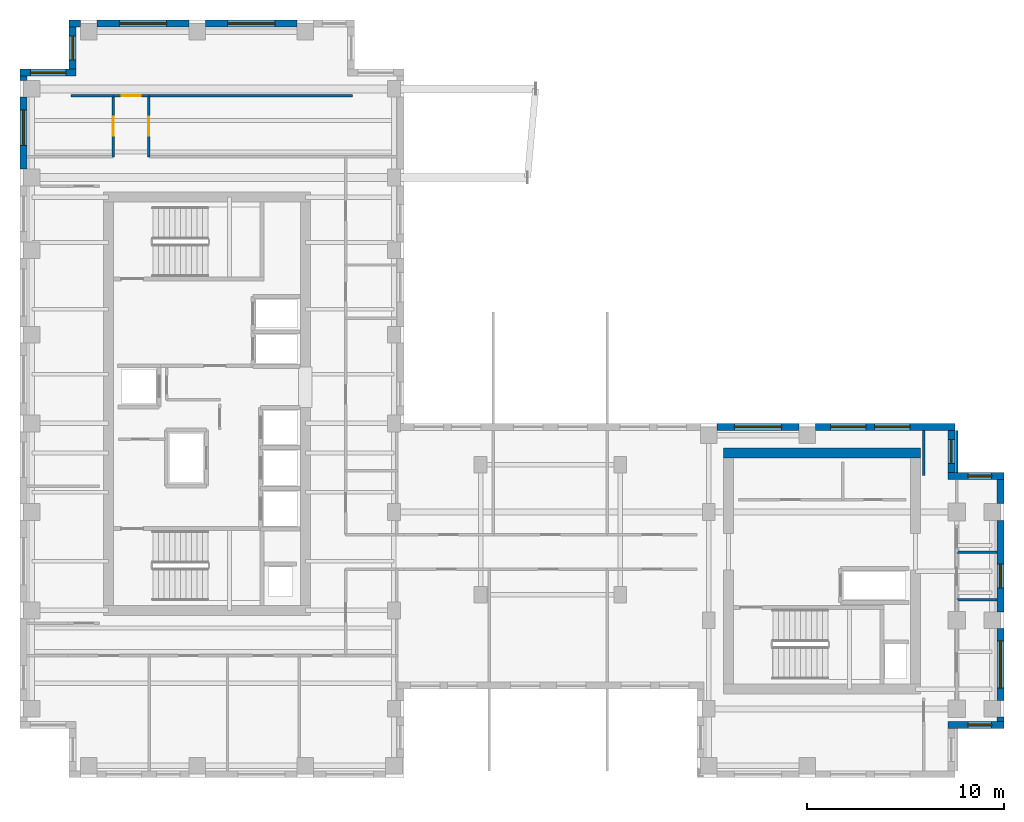
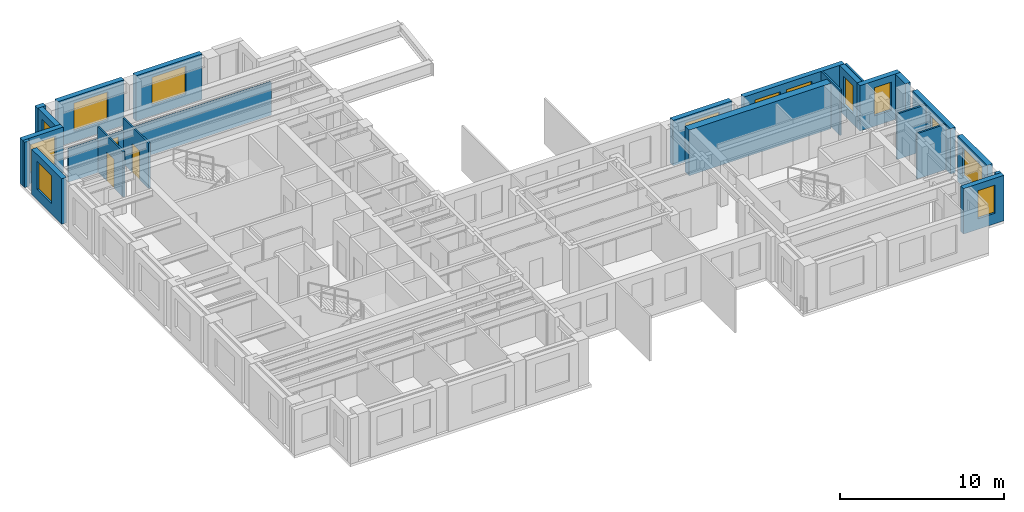
# One storey, part 8 of 11: 26 walls, 13 windows, 3 doors, 16 openings.
"""IFC4 building model written with IfcOpenShell, lengths in metres."""

import ifcopenshell
import ifcopenshell.guid

model = None  # the IFC model being written
_history = None  # IfcOwnerHistory: only IFC2X3 demands one
_inside = {}  # id of a spatial element -> (the spatial element, [elements in it])
_under = {}  # id of a project, library or spatial element -> (it, [spatial elements below it])
_declared = {}  # id of a project -> (the project, [libraries it declares])
_typed = {}  # id of a type object -> (the type object, [elements of that type])
_made_of = {}  # id of a material, layer set ... -> (it, [elements and type objects made of it])


def new_model(schema):
    """Start an empty IFC model of exactly this schema.

    Asked for "IFC4X3", IfcOpenShell would pick the latest addendum, in which some entities
    have other attributes; the version numbers below select the first issue.
    IFC2X3 requires an IfcOwnerHistory on every rooted entity: one is made here for all.
    """
    global model, _history
    if schema == "IFC4X3":
        model = ifcopenshell.file(schema_version=(4, 3, 0, 0))
    else:
        model = ifcopenshell.file(schema=schema)
    _inside.clear()
    _under.clear()
    _declared.clear()
    _typed.clear()
    _made_of.clear()
    _history = None
    if model.schema == "IFC2X3":
        org = make("IfcOrganization", Name="unknown")
        user = make(
            "IfcPersonAndOrganization",
            ThePerson=make("IfcPerson", FamilyName="unknown"),
            TheOrganization=org,
        )
        app = make(
            "IfcApplication",
            ApplicationDeveloper=org,
            Version="unknown",
            ApplicationFullName="unknown",
            ApplicationIdentifier="unknown",
        )
        _history = make(
            "IfcOwnerHistory",
            OwningUser=user,
            OwningApplication=app,
            ChangeAction="ADDED",
            CreationDate=0,
        )
    return model


def make(cls, **values):
    """One entity of the class cls with the attributes given. An attribute that is None is left unset."""
    return model.create_entity(
        cls, **{name: value for name, value in values.items() if value is not None}
    )


def rooted(cls, **values):
    """An entity with a GlobalId (a new one), such as an element, a storey or a relation."""
    return make(cls, GlobalId=ifcopenshell.guid.new(), OwnerHistory=_history, **values)


def si_unit(unit_type, name, prefix=None):
    """IfcSIUnit, for example si_unit("LENGTHUNIT", "METRE", prefix="MILLI")."""
    return make("IfcSIUnit", UnitType=unit_type, Prefix=prefix, Name=name)


def assignment(units):
    """IfcUnitAssignment: the units of a project."""
    return None if units is None else make("IfcUnitAssignment", Units=units)


def point(xyz):
    """IfcCartesianPoint."""
    return None if xyz is None else make("IfcCartesianPoint", Coordinates=xyz)


def direction(xyz):
    """IfcDirection."""
    return None if xyz is None else make("IfcDirection", DirectionRatios=xyz)


def frame(location, z_axis=None, x_axis=None):
    """IfcAxis2Placement3D, a coordinate frame: its origin and axes. An axis left out is left unset."""
    return make(
        "IfcAxis2Placement3D",
        Location=point(location),
        Axis=direction(z_axis),
        RefDirection=direction(x_axis),
    )


def frame_2d(location, x_axis=None):
    """IfcAxis2Placement2D, a coordinate frame in the plane: its origin and x axis."""
    return make(
        "IfcAxis2Placement2D", Location=point(location), RefDirection=direction(x_axis)
    )


def origin():
    """The frame at (0, 0, 0) with its axes left unset."""
    return frame((0.0, 0.0, 0.0))


def place(relative_to, where):
    """IfcLocalPlacement: puts the frame where relative to a parent placement (None: the world)."""
    return make(
        "IfcLocalPlacement", PlacementRelTo=relative_to, RelativePlacement=where
    )


def context(
    kind, dimensions, precision=None, world=None, true_north=None, identifier=None
):
    """IfcGeometricRepresentationContext, for example the 3D "Model" context."""
    return make(
        "IfcGeometricRepresentationContext",
        ContextIdentifier=identifier,
        ContextType=kind,
        CoordinateSpaceDimension=dimensions,
        Precision=precision,
        WorldCoordinateSystem=world,
        TrueNorth=true_north,
    )


def subcontext(parent, identifier, kind, view, scale=None):
    """IfcGeometricRepresentationSubContext, for example "Body" below "Model"."""
    return make(
        "IfcGeometricRepresentationSubContext",
        ContextIdentifier=identifier,
        ContextType=kind,
        ParentContext=parent,
        TargetScale=scale,
        TargetView=view,
    )


def project(units=None, contexts=None):
    """IfcProject with its units and contexts."""
    return rooted(
        "IfcProject",
        Name="project",
        RepresentationContexts=contexts,
        UnitsInContext=assignment(units),
    )


def spatial(cls, under=None, at=None, **own):
    """A site, building, storey or space (cls), placed at a placement, below another one or the project."""
    s = rooted(cls, ObjectPlacement=at, **own)
    if under is not None:
        _under.setdefault(under.id(), (under, []))[1].append(s)
    return s


def profile(cls, at=None, kind="AREA", **sizes):
    """A parametric profile (cls). Its sizes go by their IFC names, for example OverallWidth=200.0."""
    return make(cls, ProfileType=kind, Position=at, **sizes)


def rectangle(**sizes):
    """IfcRectangleProfileDef."""
    return profile("IfcRectangleProfileDef", **sizes)


def extrude(swept, where, along, depth):
    """IfcExtrudedAreaSolid: the profile swept, set in the frame where, extruded along a direction by depth."""
    return make(
        "IfcExtrudedAreaSolid",
        SweptArea=swept,
        Position=where,
        ExtrudedDirection=direction(along),
        Depth=depth,
    )


def shape(context_of_items, identifier, shape_type, items):
    """IfcShapeRepresentation: the items that make up one representation, for example the "Body"."""
    return make(
        "IfcShapeRepresentation",
        ContextOfItems=context_of_items,
        RepresentationIdentifier=identifier,
        RepresentationType=shape_type,
        Items=items,
    )


def source(mapping_origin, context_of_items, identifier, shape_type, items):
    """IfcRepresentationMap: a shape defined once, which mapped items show again and again."""
    return make(
        "IfcRepresentationMap",
        MappingOrigin=mapping_origin,
        MappedRepresentation=shape(context_of_items, identifier, shape_type, items),
    )


def transform(
    local_origin,
    x_axis=None,
    y_axis=None,
    z_axis=None,
    scale=None,
    scale2=None,
    scale3=None,
    uniform=True,
):
    """IfcCartesianTransformationOperator3D, or its non-uniform kind. x_axis, y_axis, z_axis: its Axis1, 2, 3."""
    if uniform:
        return make(
            "IfcCartesianTransformationOperator3D",
            Axis1=direction(x_axis),
            Axis2=direction(y_axis),
            LocalOrigin=point(local_origin),
            Scale=scale,
            Axis3=direction(z_axis),
        )
    return make(
        "IfcCartesianTransformationOperator3DnonUniform",
        Axis1=direction(x_axis),
        Axis2=direction(y_axis),
        LocalOrigin=point(local_origin),
        Scale=scale,
        Axis3=direction(z_axis),
        Scale2=scale2,
        Scale3=scale3,
    )


def mapped(mapping_source, mapping_target):
    """IfcMappedItem: shows the shape of a source again, moved by a transform."""
    return make(
        "IfcMappedItem", MappingSource=mapping_source, MappingTarget=mapping_target
    )


def material(Name=None, Category=None):
    """IfcMaterial."""
    return make("IfcMaterial", Name=Name, Category=Category)


def layer(
    of_material, thickness, ventilated=None, Name=None, Category=None, Priority=None
):
    """IfcMaterialLayer: one layer of a wall or slab, of a material (None: an air gap)."""
    return make(
        "IfcMaterialLayer",
        Material=of_material,
        LayerThickness=thickness,
        IsVentilated=ventilated,
        Name=Name,
        Category=Category,
        Priority=Priority,
    )


def layer_set(layers, Name=None):
    """IfcMaterialLayerSet."""
    return make("IfcMaterialLayerSet", MaterialLayers=layers, LayerSetName=Name)


def made_of(thing, what):
    """Note that an element or type object is made of a material, layer set ...; save() writes the relation."""
    if what is not None:
        _made_of.setdefault(what.id(), (what, []))[1].append(thing)
    return thing


def type_object(cls, material=None, **own):
    """A type object (cls), such as IfcWallType, which elements share."""
    return made_of(rooted(cls, **own), material)


def element(
    cls,
    number,
    at=None,
    inside=None,
    cuts=None,
    type_object=None,
    material=None,
    context=None,
    identifier="Body",
    shape_type=None,
    held_by="IfcProductDefinitionShape",
    body=None,
    shapes=None,
    **own,
):
    """One element of the class cls, such as IfcWall. Its Tag is "e" and its number.

    at: its placement. inside: the storey or other place that contains it. cuts: it is an
    opening in that element (IfcRelVoidsElement). A single representation is given by context,
    identifier, shape_type and body (its items); several are given by shapes. held_by: the class
    of the entity that holds the representations. save() writes the other relations.
    """
    e = rooted(cls, Tag="e%d" % number, ObjectPlacement=at, **own)
    if body is not None:
        shapes = [shape(context, identifier, shape_type, body)]
    if shapes is not None:
        e.Representation = make(held_by, Representations=shapes)
    if inside is not None:
        _inside.setdefault(inside.id(), (inside, []))[1].append(e)
    if cuts is not None:
        rooted(
            "IfcRelVoidsElement", RelatingBuildingElement=cuts, RelatedOpeningElement=e
        )
    if type_object is not None:
        _typed.setdefault(type_object.id(), (type_object, []))[1].append(e)
    return made_of(e, material)


def fill(opening, filler):
    """IfcRelFillsElement: the door or window that sits in an opening."""
    return rooted(
        "IfcRelFillsElement",
        RelatingOpeningElement=opening,
        RelatedBuildingElement=filler,
    )


def aggregate(whole, parts):
    """IfcRelAggregates: a whole, such as a stair, and the parts it consists of."""
    return rooted("IfcRelAggregates", RelatingObject=whole, RelatedObjects=parts)


def save(model, path):
    """Write the relations noted so far, then the file.

    IfcRelAggregates (storeys below a building ...), IfcRelContainedInSpatialStructure (elements
    in a storey), IfcRelDefinesByType, IfcRelAssociatesMaterial and IfcRelDeclares: one each for
    every whole, place, type object, material and project.
    """
    for whole, parts in _under.values():
        aggregate(whole, parts)
    for where, things in _inside.values():
        rooted(
            "IfcRelContainedInSpatialStructure",
            RelatedElements=things,
            RelatingStructure=where,
        )
    for kind, things in _typed.values():
        rooted("IfcRelDefinesByType", RelatedObjects=things, RelatingType=kind)
    for what, things in _made_of.values():
        rooted("IfcRelAssociatesMaterial", RelatedObjects=things, RelatingMaterial=what)
    for by, libraries in _declared.values():
        rooted("IfcRelDeclares", RelatingContext=by, RelatedDefinitions=libraries)
    model.write(path)


model = new_model("IFC4")

# Units and contexts
model_context = context("Model", 3, precision=1e-05, world=origin(), true_north=direction((0.0, 1.0)))
body_context = subcontext(model_context, "Body", "Model", "MODEL_VIEW")
ifc_project = project(units=[si_unit("LENGTHUNIT", "METRE"), si_unit("AREAUNIT", "SQUARE_METRE"), si_unit("VOLUMEUNIT", "CUBIC_METRE"), si_unit("PLANEANGLEUNIT", "RADIAN"), si_unit("MASSUNIT", "GRAM", prefix="KILO")], contexts=[model_context])

# Site, building, storey
site_placement = place(None, origin())
site = spatial("IfcSite", under=ifc_project, at=site_placement, CompositionType="ELEMENT")
building_placement = place(site_placement, origin())
building = spatial("IfcBuilding", under=site, at=building_placement, Name="Kharzan Plaza Tower", CompositionType="ELEMENT")
storey_placement = place(building_placement, frame((0.0, 0.0, 219.60009765625)))
storey = spatial("IfcBuildingStorey", under=building, at=storey_placement, Name="L59", CompositionType="ELEMENT", Elevation=219.60009765625)

# Wall, opening, window
ifc_material_1 = material(Name="Concrete C40/50", Category="concrete")
ifc_layer_1 = layer(ifc_material_1, 0.35009765625)
ifc_layer_set_1 = layer_set([ifc_layer_1], Name="Concrete C40/50")
wall_type_1 = type_object("IfcWallType", Name="WL-EXT-MAS-Z4", PredefinedType="SOLIDWALL", material=ifc_layer_set_1)
wall_1_placement = place(storey_placement, frame((14.076904296875, 38.324951171875, 0.0), z_axis=(0.0, 0.0, 1.0), x_axis=(-1.0, 0.0, 0.0)))
wall_1 = element("IfcWall", 1, at=wall_1_placement, inside=storey, type_object=wall_type_1, Name="L59 Masonry-Frame Exterior Wall 04", PredefinedType="SOLIDWALL", context=body_context, shape_type="SweptSolid", body=[
    extrude(rectangle(XDim=4.65380859375, YDim=0.35009765625, at=frame_2d((2.326904296875, 0.0))), origin(), (0.0, 0.0, 1.0), 3.385009765625),
])
opening_1_placement = place(wall_1_placement, frame((1.126953125, 0.0, 0.780029296875)))
opening_1 = element("IfcOpeningElement", 2, at=opening_1_placement, cuts=wall_1, Name="Opening W2", PredefinedType="OPENING", context=body_context, shape_type="SweptSolid", body=[
    extrude(rectangle(XDim=2.39990234375, YDim=2.10009765625, at=frame_2d((1.199951171875, 1.050048828125))), frame((0.0, 0.18505859375, 0.0), z_axis=(0.0, -1.0, 0.0), x_axis=(1.0, 0.0, 0.0)), (0.0, 0.0, 1.0), 0.3701171875),
])
ifc_material_2 = material(Name="Low-E Double Glazing", Category="glass")
window_type_1 = type_object("IfcWindowType", Name="WN-REC-2400x2100", PartitioningType="SINGLE_PANEL", PredefinedType="WINDOW", material=ifc_material_2)
shared_shape_1 = source(origin(), body_context, "Body", "SweptSolid", [
    extrude(rectangle(XDim=2.39990234375, YDim=2.10009765625, at=frame_2d((1.199951171875, 1.050048828125))), frame((0.0, 0.030029296875, 0.0), z_axis=(0.0, -1.0, 0.0), x_axis=(1.0, 0.0, 0.0)), (0.0, 0.0, 1.0), 0.06005859375),
])
window_1_placement = place(opening_1_placement, origin())
window_1 = element("IfcWindow", 3, at=window_1_placement, inside=storey, type_object=window_type_1, Name="L59 Wide Recessed Solar-Control Window 04-1", OverallHeight=2.10009765625, OverallWidth=2.39990234375, PartitioningType="SINGLE_PANEL", PredefinedType="WINDOW", context=body_context, shape_type="MappedRepresentation", body=[
    mapped(shared_shape_1, transform((0.0, 0.0, 0.0), x_axis=(1.0, 0.0, 0.0), y_axis=(0.0, 1.0, 0.0), z_axis=(0.0, 0.0, 1.0))),
])
fill(opening_1, window_1)

wall_2_placement = place(storey_placement, frame((8.576904296875, 38.324951171875, 0.0), z_axis=(0.0, 0.0, 1.0), x_axis=(-1.0, 0.0, 0.0)))
wall_2 = element("IfcWall", 4, at=wall_2_placement, inside=storey, type_object=wall_type_1, Name="L59 Masonry-Frame Exterior Wall 05", PredefinedType="SOLIDWALL", context=body_context, shape_type="SweptSolid", body=[
    extrude(rectangle(XDim=4.65380859375, YDim=0.35009765625, at=frame_2d((2.326904296875, 0.0))), origin(), (0.0, 0.0, 1.0), 3.385009765625),
])
opening_2_placement = place(wall_2_placement, frame((1.126953125, 0.0, 0.780029296875)))
opening_2 = element("IfcOpeningElement", 5, at=opening_2_placement, cuts=wall_2, Name="Opening W2", PredefinedType="OPENING", context=body_context, shape_type="SweptSolid", body=[
    extrude(rectangle(XDim=2.39990234375, YDim=2.10009765625, at=frame_2d((1.199951171875, 1.050048828125))), frame((0.0, 0.18505859375, 0.0), z_axis=(0.0, -1.0, 0.0), x_axis=(1.0, 0.0, 0.0)), (0.0, 0.0, 1.0), 0.3701171875),
])
window_2_placement = place(opening_2_placement, origin())
window_2 = element("IfcWindow", 6, at=window_2_placement, inside=storey, type_object=window_type_1, Name="L59 Wide Recessed Solar-Control Window 05-1", OverallHeight=2.10009765625, OverallWidth=2.39990234375, PartitioningType="SINGLE_PANEL", PredefinedType="WINDOW", context=body_context, shape_type="MappedRepresentation", body=[
    mapped(shared_shape_1, transform((0.0, 0.0, 0.0), x_axis=(1.0, 0.0, 0.0), y_axis=(0.0, 1.0, 0.0), z_axis=(0.0, 0.0, 1.0))),
])
fill(opening_2, window_2)

wall_3_placement = place(storey_placement, frame((2.675048828125, 38.152099609375, 0.0), z_axis=(0.0, 0.0, 1.0), x_axis=(0.0, -1.0, 0.0)))
wall_3 = element("IfcWall", 7, at=wall_3_placement, inside=storey, type_object=wall_type_1, Name="L59 Masonry-Frame Exterior Wall 07", PredefinedType="SOLIDWALL", context=body_context, shape_type="SweptSolid", body=[
    extrude(rectangle(XDim=2.154052734375, YDim=0.35009765625, at=frame_2d((1.0771484375, 0.0))), origin(), (0.0, 0.0, 1.0), 3.385009765625),
])
opening_3_placement = place(wall_3_placement, frame((0.47705078125, 0.0, 0.780029296875)))
opening_3 = element("IfcOpeningElement", 8, at=opening_3_placement, cuts=wall_3, Name="Opening W3", PredefinedType="OPENING", context=body_context, shape_type="SweptSolid", body=[
    extrude(rectangle(XDim=1.199951171875, YDim=2.10009765625, at=frame_2d((0.60009765625, 1.050048828125))), frame((0.0, 0.18505859375, 0.0), z_axis=(0.0, -1.0, 0.0), x_axis=(1.0, 0.0, 0.0)), (0.0, 0.0, 1.0), 0.3701171875),
])
window_type_2 = type_object("IfcWindowType", Name="WN-REC-1200x2100", PartitioningType="SINGLE_PANEL", PredefinedType="WINDOW", material=ifc_material_2)
shared_shape_2 = source(origin(), body_context, "Body", "SweptSolid", [
    extrude(rectangle(XDim=1.199951171875, YDim=2.10009765625, at=frame_2d((0.60009765625, 1.050048828125))), frame((0.0, 0.030029296875, 0.0), z_axis=(0.0, -1.0, 0.0), x_axis=(1.0, 0.0, 0.0)), (0.0, 0.0, 1.0), 0.06005859375),
])
window_3_placement = place(opening_3_placement, origin())
window_3 = element("IfcWindow", 9, at=window_3_placement, inside=storey, type_object=window_type_2, Name="L59 Recessed Solar-Control Window 07-1", OverallHeight=2.10009765625, OverallWidth=1.199951171875, PartitioningType="SINGLE_PANEL", PredefinedType="WINDOW", context=body_context, shape_type="MappedRepresentation", body=[
    mapped(shared_shape_2, transform((0.0, 0.0, 0.0), x_axis=(1.0, 0.0, 0.0), y_axis=(0.0, 1.0, 0.0), z_axis=(0.0, 0.0, 1.0))),
])
fill(opening_3, window_3)

wall_4_placement = place(storey_placement, frame((2.85009765625, 35.824951171875, 0.0), z_axis=(0.0, 0.0, 1.0), x_axis=(-1.0, 0.0, 0.0)))
wall_4 = element("IfcWall", 10, at=wall_4_placement, inside=storey, type_object=wall_type_1, Name="L59 Masonry-Frame Exterior Wall 08", PredefinedType="SOLIDWALL", context=body_context, shape_type="SweptSolid", body=[
    extrude(rectangle(XDim=2.85009765625, YDim=0.35009765625, at=frame_2d((1.425048828125, 0.0))), origin(), (0.0, 0.0, 1.0), 3.385009765625),
])
opening_4_placement = place(wall_4_placement, frame((0.52490234375, 0.0, 0.780029296875)))
opening_4 = element("IfcOpeningElement", 11, at=opening_4_placement, cuts=wall_4, Name="Opening W1", PredefinedType="OPENING", context=body_context, shape_type="SweptSolid", body=[
    extrude(rectangle(XDim=1.800048828125, YDim=2.10009765625, at=frame_2d((0.89990234375, 1.050048828125))), frame((0.0, 0.18505859375, 0.0), z_axis=(0.0, -1.0, 0.0), x_axis=(1.0, 0.0, 0.0)), (0.0, 0.0, 1.0), 0.3701171875),
])
window_type_3 = type_object("IfcWindowType", Name="WN-REC-1800x2100", PartitioningType="SINGLE_PANEL", PredefinedType="WINDOW", material=ifc_material_2)
shared_shape_3 = source(origin(), body_context, "Body", "SweptSolid", [
    extrude(rectangle(XDim=1.800048828125, YDim=2.10009765625, at=frame_2d((0.89990234375, 1.050048828125))), frame((0.0, 0.030029296875, 0.0), z_axis=(0.0, -1.0, 0.0), x_axis=(1.0, 0.0, 0.0)), (0.0, 0.0, 1.0), 0.06005859375),
])
window_4_placement = place(opening_4_placement, origin())
window_4 = element("IfcWindow", 12, at=window_4_placement, inside=storey, type_object=window_type_3, Name="L59 Recessed Solar-Control Window 08-1", OverallHeight=2.10009765625, OverallWidth=1.800048828125, PartitioningType="SINGLE_PANEL", PredefinedType="WINDOW", context=body_context, shape_type="MappedRepresentation", body=[
    mapped(shared_shape_3, transform((0.0, 0.0, 0.0), x_axis=(1.0, 0.0, 0.0), y_axis=(0.0, 1.0, 0.0), z_axis=(0.0, 0.0, 1.0))),
])
fill(opening_4, window_4)

wall_5_placement = place(storey_placement, frame((0.175048828125, 34.576904296875, 0.0), z_axis=(0.0, 0.0, 1.0), x_axis=(0.0, -1.0, 0.0)))
wall_5 = element("IfcWall", 13, at=wall_5_placement, inside=storey, type_object=wall_type_1, Name="L59 Masonry-Frame Exterior Wall 10", PredefinedType="SOLIDWALL", context=body_context, shape_type="SweptSolid", body=[
    extrude(rectangle(XDim=3.65380859375, YDim=0.35009765625, at=frame_2d((1.826904296875, 0.0))), origin(), (0.0, 0.0, 1.0), 3.385009765625),
])
opening_5_placement = place(wall_5_placement, frame((0.6484375, 0.0, 0.780029296875)))
opening_5 = element("IfcOpeningElement", 14, at=opening_5_placement, cuts=wall_5, Name="Opening W1", PredefinedType="OPENING", context=body_context, shape_type="SweptSolid", body=[
    extrude(rectangle(XDim=1.800048828125, YDim=2.10009765625, at=frame_2d((0.89990234375, 1.050048828125))), frame((0.0, 0.18505859375, 0.0), z_axis=(0.0, -1.0, 0.0), x_axis=(1.0, 0.0, 0.0)), (0.0, 0.0, 1.0), 0.3701171875),
])
window_5_placement = place(opening_5_placement, origin())
window_5 = element("IfcWindow", 15, at=window_5_placement, inside=storey, type_object=window_type_3, Name="L59 Recessed Solar-Control Window 10-1", OverallHeight=2.10009765625, OverallWidth=1.800048828125, PartitioningType="SINGLE_PANEL", PredefinedType="WINDOW", context=body_context, shape_type="MappedRepresentation", body=[
    mapped(shared_shape_3, transform((0.0, 0.0, 0.0), x_axis=(1.0, 0.0, 0.0), y_axis=(0.0, 1.0, 0.0), z_axis=(0.0, 0.0, 1.0))),
])
fill(opening_5, window_5)

wall_6_placement = place(storey_placement, frame((47.14990234375, 2.675048828125, 0.0), z_axis=(0.0, 0.0, 1.0), x_axis=(1.0, 0.0, 0.0)))
wall_6 = element("IfcWall", 16, at=wall_6_placement, inside=storey, type_object=wall_type_1, Name="L59 Masonry-Frame Exterior Wall 32", PredefinedType="SOLIDWALL", context=body_context, shape_type="SweptSolid", body=[
    extrude(rectangle(XDim=2.85009765625, YDim=0.35009765625, at=frame_2d((1.425048828125, 0.0))), origin(), (0.0, 0.0, 1.0), 3.385009765625),
])
opening_6_placement = place(wall_6_placement, frame((1.014892578125, 0.0, 0.780029296875)))
opening_6 = element("IfcOpeningElement", 17, at=opening_6_placement, cuts=wall_6, Name="Opening W3", PredefinedType="OPENING", context=body_context, shape_type="SweptSolid", body=[
    extrude(rectangle(XDim=1.199951171875, YDim=2.10009765625, at=frame_2d((0.60009765625, 1.050048828125))), frame((0.0, 0.18505859375, 0.0), z_axis=(0.0, -1.0, 0.0), x_axis=(1.0, 0.0, 0.0)), (0.0, 0.0, 1.0), 0.3701171875),
])
window_6_placement = place(opening_6_placement, origin())
window_6 = element("IfcWindow", 18, at=window_6_placement, inside=storey, type_object=window_type_2, Name="L59 Recessed Solar-Control Window 32-1", OverallHeight=2.10009765625, OverallWidth=1.199951171875, PartitioningType="SINGLE_PANEL", PredefinedType="WINDOW", context=body_context, shape_type="MappedRepresentation", body=[
    mapped(shared_shape_2, transform((0.0, 0.0, 0.0), x_axis=(1.0, 0.0, 0.0), y_axis=(0.0, 1.0, 0.0), z_axis=(0.0, 0.0, 1.0))),
])
fill(opening_6, window_6)

wall_7_placement = place(storey_placement, frame((49.824951171875, 3.923095703125, 0.0), z_axis=(0.0, 0.0, 1.0), x_axis=(0.0, 1.0, 0.0)))
wall_7 = element("IfcWall", 19, at=wall_7_placement, inside=storey, type_object=wall_type_1, Name="L59 Masonry-Frame Exterior Wall 34", PredefinedType="SOLIDWALL", context=body_context, shape_type="SweptSolid", body=[
    extrude(rectangle(XDim=3.65380859375, YDim=0.35009765625, at=frame_2d((1.826904296875, 0.0))), origin(), (0.0, 0.0, 1.0), 3.385009765625),
])
opening_7_placement = place(wall_7_placement, frame((0.626953125, 0.0, 0.780029296875)))
opening_7 = element("IfcOpeningElement", 20, at=opening_7_placement, cuts=wall_7, Name="Opening W2", PredefinedType="OPENING", context=body_context, shape_type="SweptSolid", body=[
    extrude(rectangle(XDim=2.39990234375, YDim=2.10009765625, at=frame_2d((1.199951171875, 1.050048828125))), frame((0.0, 0.18505859375, 0.0), z_axis=(0.0, -1.0, 0.0), x_axis=(1.0, 0.0, 0.0)), (0.0, 0.0, 1.0), 0.3701171875),
])
window_7_placement = place(opening_7_placement, origin())
window_7 = element("IfcWindow", 21, at=window_7_placement, inside=storey, type_object=window_type_1, Name="L59 Wide Recessed Solar-Control Window 34-1", OverallHeight=2.10009765625, OverallWidth=2.39990234375, PartitioningType="SINGLE_PANEL", PredefinedType="WINDOW", context=body_context, shape_type="MappedRepresentation", body=[
    mapped(shared_shape_1, transform((0.0, 0.0, 0.0), x_axis=(1.0, 0.0, 0.0), y_axis=(0.0, 1.0, 0.0), z_axis=(0.0, 0.0, 1.0))),
])
fill(opening_7, window_7)

wall_8_placement = place(storey_placement, frame((49.824951171875, 8.423095703125, 0.0), z_axis=(0.0, 0.0, 1.0), x_axis=(0.0, 1.0, 0.0)))
wall_8 = element("IfcWall", 22, at=wall_8_placement, inside=storey, type_object=wall_type_1, Name="L59 Masonry-Frame Exterior Wall 35", PredefinedType="SOLIDWALL", context=body_context, shape_type="SweptSolid", body=[
    extrude(rectangle(XDim=4.65380859375, YDim=0.35009765625, at=frame_2d((2.326904296875, 0.0))), origin(), (0.0, 0.0, 1.0), 3.385009765625),
])
opening_8_placement = place(wall_8_placement, frame((1.22705078125, 0.0, 0.780029296875)))
opening_8 = element("IfcOpeningElement", 23, at=opening_8_placement, cuts=wall_8, Name="Opening W3", PredefinedType="OPENING", context=body_context, shape_type="SweptSolid", body=[
    extrude(rectangle(XDim=1.199951171875, YDim=2.10009765625, at=frame_2d((0.60009765625, 1.050048828125))), frame((0.0, 0.18505859375, 0.0), z_axis=(0.0, -1.0, 0.0), x_axis=(1.0, 0.0, 0.0)), (0.0, 0.0, 1.0), 0.3701171875),
])
window_8_placement = place(opening_8_placement, origin())
window_8 = element("IfcWindow", 24, at=window_8_placement, inside=storey, type_object=window_type_2, Name="L59 Recessed Solar-Control Window 35-1", OverallHeight=2.10009765625, OverallWidth=1.199951171875, PartitioningType="SINGLE_PANEL", PredefinedType="WINDOW", context=body_context, shape_type="MappedRepresentation", body=[
    mapped(shared_shape_2, transform((0.0, 0.0, 0.0), x_axis=(1.0, 0.0, 0.0), y_axis=(0.0, 1.0, 0.0), z_axis=(0.0, 0.0, 1.0))),
])
fill(opening_8, window_8)

wall_9_placement = place(storey_placement, frame((50.0, 15.324951171875, 0.0), z_axis=(0.0, 0.0, 1.0), x_axis=(-1.0, 0.0, 0.0)))
wall_9 = element("IfcWall", 25, at=wall_9_placement, inside=storey, type_object=wall_type_1, Name="L59 Masonry-Frame Exterior Wall 37", PredefinedType="SOLIDWALL", context=body_context, shape_type="SweptSolid", body=[
    extrude(rectangle(XDim=2.85009765625, YDim=0.35009765625, at=frame_2d((1.425048828125, 0.0))), origin(), (0.0, 0.0, 1.0), 3.385009765625),
])
opening_9_placement = place(wall_9_placement, frame((0.635009765625, 0.0, 0.780029296875)))
opening_9 = element("IfcOpeningElement", 26, at=opening_9_placement, cuts=wall_9, Name="Opening W3", PredefinedType="OPENING", context=body_context, shape_type="SweptSolid", body=[
    extrude(rectangle(XDim=1.199951171875, YDim=2.10009765625, at=frame_2d((0.60009765625, 1.050048828125))), frame((0.0, 0.18505859375, 0.0), z_axis=(0.0, -1.0, 0.0), x_axis=(1.0, 0.0, 0.0)), (0.0, 0.0, 1.0), 0.3701171875),
])
window_9_placement = place(opening_9_placement, origin())
window_9 = element("IfcWindow", 27, at=window_9_placement, inside=storey, type_object=window_type_2, Name="L59 Recessed Solar-Control Window 37-1", OverallHeight=2.10009765625, OverallWidth=1.199951171875, PartitioningType="SINGLE_PANEL", PredefinedType="WINDOW", context=body_context, shape_type="MappedRepresentation", body=[
    mapped(shared_shape_2, transform((0.0, 0.0, 0.0), x_axis=(1.0, 0.0, 0.0), y_axis=(0.0, 1.0, 0.0), z_axis=(0.0, 0.0, 1.0))),
])
fill(opening_9, window_9)

wall_10_placement = place(storey_placement, frame((47.324951171875, 15.498046875, 0.0), z_axis=(0.0, 0.0, 1.0), x_axis=(0.0, 1.0, 0.0)))
wall_10 = element("IfcWall", 28, at=wall_10_placement, inside=storey, type_object=wall_type_1, Name="L59 Masonry-Frame Exterior Wall 38", PredefinedType="SOLIDWALL", context=body_context, shape_type="SweptSolid", body=[
    extrude(rectangle(XDim=2.154052734375, YDim=0.35009765625, at=frame_2d((1.0771484375, 0.0))), origin(), (0.0, 0.0, 1.0), 3.385009765625),
])
opening_10_placement = place(wall_10_placement, frame((0.47705078125, 0.0, 0.780029296875)))
opening_10 = element("IfcOpeningElement", 29, at=opening_10_placement, cuts=wall_10, Name="Opening W3", PredefinedType="OPENING", context=body_context, shape_type="SweptSolid", body=[
    extrude(rectangle(XDim=1.199951171875, YDim=2.10009765625, at=frame_2d((0.60009765625, 1.050048828125))), frame((0.0, 0.18505859375, 0.0), z_axis=(0.0, -1.0, 0.0), x_axis=(1.0, 0.0, 0.0)), (0.0, 0.0, 1.0), 0.3701171875),
])
window_10_placement = place(opening_10_placement, origin())
window_10 = element("IfcWindow", 30, at=window_10_placement, inside=storey, type_object=window_type_2, Name="L59 Recessed Solar-Control Window 38-1", OverallHeight=2.10009765625, OverallWidth=1.199951171875, PartitioningType="SINGLE_PANEL", PredefinedType="WINDOW", context=body_context, shape_type="MappedRepresentation", body=[
    mapped(shared_shape_2, transform((0.0, 0.0, 0.0), x_axis=(1.0, 0.0, 0.0), y_axis=(0.0, 1.0, 0.0), z_axis=(0.0, 0.0, 1.0))),
])
fill(opening_10, window_10)

# Wall, openings, windows
wall_11_placement = place(storey_placement, frame((47.5, 17.824951171875, 0.0), z_axis=(0.0, 0.0, 1.0), x_axis=(-1.0, 0.0, 0.0)))
wall_11 = element("IfcWall", 31, at=wall_11_placement, inside=storey, type_object=wall_type_1, Name="L59 Masonry-Frame Exterior Wall 39", PredefinedType="SOLIDWALL", context=body_context, shape_type="SweptSolid", body=[
    extrude(rectangle(XDim=7.076904296875, YDim=0.35009765625, at=frame_2d((3.53857421875, 0.0))), origin(), (0.0, 0.0, 1.0), 3.385009765625),
])
opening_11_placement = place(wall_11_placement, frame((2.272216796875, 0.0, 0.780029296875)))
opening_11 = element("IfcOpeningElement", 32, at=opening_11_placement, cuts=wall_11, Name="Opening W1", PredefinedType="OPENING", context=body_context, shape_type="SweptSolid", body=[
    extrude(rectangle(XDim=1.800048828125, YDim=2.10009765625, at=frame_2d((0.89990234375, 1.050048828125))), frame((0.0, 0.18505859375, 0.0), z_axis=(0.0, -1.0, 0.0), x_axis=(1.0, 0.0, 0.0)), (0.0, 0.0, 1.0), 0.3701171875),
])
opening_12_placement = place(wall_11_placement, frame((4.5146484375, 0.0, 0.780029296875)))
opening_12 = element("IfcOpeningElement", 33, at=opening_12_placement, cuts=wall_11, Name="Opening W1", PredefinedType="OPENING", context=body_context, shape_type="SweptSolid", body=[
    extrude(rectangle(XDim=1.800048828125, YDim=2.10009765625, at=frame_2d((0.89990234375, 1.050048828125))), frame((0.0, 0.18505859375, 0.0), z_axis=(0.0, -1.0, 0.0), x_axis=(1.0, 0.0, 0.0)), (0.0, 0.0, 1.0), 0.3701171875),
])
window_11_placement = place(opening_11_placement, origin())
window_11 = element("IfcWindow", 34, at=window_11_placement, inside=storey, type_object=window_type_3, Name="L59 Recessed Solar-Control Window 39-1", OverallHeight=2.10009765625, OverallWidth=1.800048828125, PartitioningType="SINGLE_PANEL", PredefinedType="WINDOW", context=body_context, shape_type="MappedRepresentation", body=[
    mapped(shared_shape_3, transform((0.0, 0.0, 0.0), x_axis=(1.0, 0.0, 0.0), y_axis=(0.0, 1.0, 0.0), z_axis=(0.0, 0.0, 1.0))),
])
fill(opening_11, window_11)
window_12_placement = place(opening_12_placement, origin())
window_12 = element("IfcWindow", 35, at=window_12_placement, inside=storey, type_object=window_type_3, Name="L59 Recessed Solar-Control Window 39-2", OverallHeight=2.10009765625, OverallWidth=1.800048828125, PartitioningType="SINGLE_PANEL", PredefinedType="WINDOW", context=body_context, shape_type="MappedRepresentation", body=[
    mapped(shared_shape_3, transform((0.0, 0.0, 0.0), x_axis=(1.0, 0.0, 0.0), y_axis=(0.0, 1.0, 0.0), z_axis=(0.0, 0.0, 1.0))),
])
fill(opening_12, window_12)

# Wall, opening, window
wall_12_placement = place(storey_placement, frame((39.576904296875, 17.824951171875, 0.0), z_axis=(0.0, 0.0, 1.0), x_axis=(-1.0, 0.0, 0.0)))
wall_12 = element("IfcWall", 36, at=wall_12_placement, inside=storey, type_object=wall_type_1, Name="L59 Masonry-Frame Exterior Wall 40", PredefinedType="SOLIDWALL", context=body_context, shape_type="SweptSolid", body=[
    extrude(rectangle(XDim=4.15380859375, YDim=0.35009765625, at=frame_2d((2.076904296875, 0.0))), origin(), (0.0, 0.0, 1.0), 3.385009765625),
])
opening_13_placement = place(wall_12_placement, frame((0.876953125, 0.0, 0.780029296875)))
opening_13 = element("IfcOpeningElement", 37, at=opening_13_placement, cuts=wall_12, Name="Opening W2", PredefinedType="OPENING", context=body_context, shape_type="SweptSolid", body=[
    extrude(rectangle(XDim=2.39990234375, YDim=2.10009765625, at=frame_2d((1.199951171875, 1.050048828125))), frame((0.0, 0.18505859375, 0.0), z_axis=(0.0, -1.0, 0.0), x_axis=(1.0, 0.0, 0.0)), (0.0, 0.0, 1.0), 0.3701171875),
])
window_13_placement = place(opening_13_placement, origin())
window_13 = element("IfcWindow", 38, at=window_13_placement, inside=storey, type_object=window_type_1, Name="L59 Wide Recessed Solar-Control Window 40-1", OverallHeight=2.10009765625, OverallWidth=2.39990234375, PartitioningType="SINGLE_PANEL", PredefinedType="WINDOW", context=body_context, shape_type="MappedRepresentation", body=[
    mapped(shared_shape_1, transform((0.0, 0.0, 0.0), x_axis=(1.0, 0.0, 0.0), y_axis=(0.0, 1.0, 0.0), z_axis=(0.0, 0.0, 1.0))),
])
fill(opening_13, window_13)

# Wall, opening, door
ifc_material_3 = material(Name="Fire-Rated Gypsum Board Partition", Category="gypsum")
ifc_layer_2 = layer(ifc_material_3, 0.125)
ifc_layer_set_2 = layer_set([ifc_layer_2], Name="Fire-Rated Gypsum Board Partition")
wall_type_2 = type_object("IfcWallType", Name="WL-INT-PART-125", PredefinedType="PARTITIONING", material=ifc_layer_set_2)
wall_13_placement = place(storey_placement, frame((6.550048828125, 31.550048828125, 0.0), z_axis=(0.0, 0.0, 1.0), x_axis=(0.0, 1.0, 0.0)))
wall_13 = element("IfcWall", 39, at=wall_13_placement, inside=storey, type_object=wall_type_2, Name="L59 Interior Partition SH-SPE-1", PredefinedType="PARTITIONING", context=body_context, shape_type="SweptSolid", body=[
    extrude(rectangle(XDim=3.099853515625, YDim=0.125, at=frame_2d((1.5498046875, 0.0))), origin(), (0.0, 0.0, 1.0), 3.385009765625),
])
opening_14_placement = place(wall_13_placement, frame((1.074951171875, 0.0, 0.0)))
opening_14 = element("IfcOpeningElement", 40, at=opening_14_placement, cuts=wall_13, Name="Opening OD1", PredefinedType="OPENING", context=body_context, shape_type="SweptSolid", body=[
    extrude(rectangle(XDim=0.949951171875, YDim=2.14990234375, at=frame_2d((0.47509765625, 1.074951171875))), frame((0.0, 0.072509765625, 0.0), z_axis=(0.0, -1.0, 0.0), x_axis=(1.0, 0.0, 0.0)), (0.0, 0.0, 1.0), 0.14501953125),
])
ifc_material_4 = material(Name="Acoustic Solid-Core Stained Oak", Category="timber")
door_type = type_object("IfcDoorType", Name="DR-OFF-SINGLE", OperationType="NOTDEFINED", PredefinedType="DOOR", material=ifc_material_4)
shared_shape_4 = source(origin(), body_context, "Body", "SweptSolid", [
    extrude(rectangle(XDim=0.949951171875, YDim=2.14990234375, at=frame_2d((0.47509765625, 1.074951171875))), frame((0.0, 0.02490234375, 0.0), z_axis=(0.0, -1.0, 0.0), x_axis=(1.0, 0.0, 0.0)), (0.0, 0.0, 1.0), 0.050048828125),
])
door_1_placement = place(opening_14_placement, origin())
door_1 = element("IfcDoor", 41, at=door_1_placement, inside=storey, type_object=door_type, Name="L59 Cartography Drafting Studio Door", OperationType="SINGLE_SWING_LEFT", OverallHeight=2.14990234375, OverallWidth=0.949951171875, PredefinedType="DOOR", context=body_context, shape_type="MappedRepresentation", body=[
    mapped(shared_shape_4, transform((0.0, 0.0, 0.0), x_axis=(1.0, 0.0, 0.0), y_axis=(0.0, 1.0, 0.0), z_axis=(0.0, 0.0, 1.0))),
])
fill(opening_14, door_1)

wall_14_placement = place(storey_placement, frame((4.75, 34.64990234375, 0.0), z_axis=(0.0, 0.0, 1.0), x_axis=(1.0, 0.0, 0.0)))
wall_14 = element("IfcWall", 42, at=wall_14_placement, inside=storey, type_object=wall_type_2, Name="L59 Interior Partition SH-SPHD", PredefinedType="PARTITIONING", context=body_context, shape_type="SweptSolid", body=[
    extrude(rectangle(XDim=1.800048828125, YDim=0.125, at=frame_2d((0.89990234375, 0.0))), origin(), (0.0, 0.0, 1.0), 2.447998046875),
])
opening_15_placement = place(wall_14_placement, frame((0.425048828125, 0.0, 0.0)))
opening_15 = element("IfcOpeningElement", 43, at=opening_15_placement, cuts=wall_14, Name="Opening OD1", PredefinedType="OPENING", context=body_context, shape_type="SweptSolid", body=[
    extrude(rectangle(XDim=0.949951171875, YDim=2.14990234375, at=frame_2d((0.47509765625, 1.074951171875))), frame((0.0, 0.072509765625, 0.0), z_axis=(0.0, -1.0, 0.0), x_axis=(1.0, 0.0, 0.0)), (0.0, 0.0, 1.0), 0.14501953125),
])
door_2_placement = place(opening_15_placement, origin())
door_2 = element("IfcDoor", 44, at=door_2_placement, inside=storey, type_object=door_type, Name="L59 North Boardroom Door", OperationType="SINGLE_SWING_RIGHT", OverallHeight=2.14990234375, OverallWidth=0.949951171875, PredefinedType="DOOR", context=body_context, shape_type="MappedRepresentation", body=[
    mapped(shared_shape_4, transform((0.0, 0.0, 0.0), x_axis=(1.0, 0.0, 0.0), y_axis=(0.0, 1.0, 0.0), z_axis=(0.0, 0.0, 1.0))),
])
fill(opening_15, door_2)

wall_15_placement = place(storey_placement, frame((4.75, 31.550048828125, 0.0), z_axis=(0.0, 0.0, 1.0), x_axis=(0.0, 1.0, 0.0)))
wall_15 = element("IfcWall", 45, at=wall_15_placement, inside=storey, type_object=wall_type_2, Name="L59 Interior Partition SH-SPW-1", PredefinedType="PARTITIONING", context=body_context, shape_type="SweptSolid", body=[
    extrude(rectangle(XDim=3.099853515625, YDim=0.125, at=frame_2d((1.5498046875, 0.0))), origin(), (0.0, 0.0, 1.0), 3.385009765625),
])
opening_16_placement = place(wall_15_placement, frame((1.074951171875, 0.0, 0.0)))
opening_16 = element("IfcOpeningElement", 46, at=opening_16_placement, cuts=wall_15, Name="Opening OD1", PredefinedType="OPENING", context=body_context, shape_type="SweptSolid", body=[
    extrude(rectangle(XDim=0.949951171875, YDim=2.14990234375, at=frame_2d((0.47509765625, 1.074951171875))), frame((0.0, 0.072509765625, 0.0), z_axis=(0.0, -1.0, 0.0), x_axis=(1.0, 0.0, 0.0)), (0.0, 0.0, 1.0), 0.14501953125),
])
door_3_placement = place(opening_16_placement, origin())
door_3 = element("IfcDoor", 47, at=door_3_placement, inside=storey, type_object=door_type, Name="L59 Architectural Design Studio Door", OperationType="SINGLE_SWING_RIGHT", OverallHeight=2.14990234375, OverallWidth=0.949951171875, PredefinedType="DOOR", context=body_context, shape_type="MappedRepresentation", body=[
    mapped(shared_shape_4, transform((0.0, 0.0, 0.0), x_axis=(1.0, 0.0, 0.0), y_axis=(0.0, 1.0, 0.0), z_axis=(0.0, 0.0, 1.0))),
])
fill(opening_16, door_3)

# Walls
shared_shape_5 = source(origin(), body_context, "Body", "SweptSolid", [
    extrude(rectangle(XDim=2.2978515625, YDim=0.125, at=frame_2d((1.14892578125, 0.0))), origin(), (0.0, 0.0, 1.0), 3.385009765625),
])
wall_16_placement = place(storey_placement, frame((45.919921875, 15.35009765625, 0.0), z_axis=(0.0, 0.0, 1.0), x_axis=(0.0, 1.0, 0.0)))
element("IfcWall", 48, at=wall_16_placement, inside=storey, type_object=wall_type_2, Name="L59 Interior Partition SH-RBNE0", PredefinedType="PARTITIONING", context=body_context, shape_type="MappedRepresentation", body=[
    mapped(shared_shape_5, transform((0.0, 0.0, 0.0), x_axis=(1.0, 0.0, 0.0), y_axis=(0.0, 1.0, 0.0), z_axis=(0.0, 0.0, 1.0))),
])
shared_shape_6 = source(origin(), body_context, "Body", "SweptSolid", [
    extrude(rectangle(XDim=0.576904296875, YDim=0.35009765625, at=frame_2d((0.28857421875, 0.0))), origin(), (0.0, 0.0, 1.0), 3.385009765625),
])
wall_17_placement = place(storey_placement, frame((3.076904296875, 38.324951171875, 0.0), z_axis=(0.0, 0.0, 1.0), x_axis=(-1.0, 0.0, 0.0)))
element("IfcWall", 49, at=wall_17_placement, inside=storey, type_object=wall_type_1, Name="L59 Masonry-Frame Exterior Wall 06", PredefinedType="SOLIDWALL", context=body_context, shape_type="MappedRepresentation", body=[
    mapped(shared_shape_6, transform((0.0, 0.0, 0.0), x_axis=(1.0, 0.0, 0.0), y_axis=(0.0, 1.0, 0.0), z_axis=(0.0, 0.0, 1.0))),
])
shared_shape_7 = source(origin(), body_context, "Body", "SweptSolid", [
    extrude(rectangle(XDim=0.22900390625, YDim=0.35009765625, at=frame_2d((0.114501953125, 0.0))), origin(), (0.0, 0.0, 1.0), 3.385009765625),
])
for number, where, z_axis, x_axis, name in (
    (50, (0.175048828125, 35.652099609375, 0.0), (0.0, 0.0, 1.0), (0.0, -1.0, 0.0), "L59 Masonry-Frame Exterior Wall 09"),
    (51, (49.824951171875, 2.847900390625, 0.0), (0.0, 0.0, 1.0), (0.0, 1.0, 0.0), "L59 Masonry-Frame Exterior Wall 33"),
):
    element("IfcWall", number, at=place(storey_placement, frame(where, z_axis=z_axis, x_axis=x_axis)), inside=storey, type_object=wall_type_1, Name=name, PredefinedType="SOLIDWALL", context=body_context, shape_type="MappedRepresentation", body=[
        mapped(shared_shape_7, transform((0.0, 0.0, 0.0), x_axis=(1.0, 0.0, 0.0), y_axis=(0.0, 1.0, 0.0), z_axis=(0.0, 0.0, 1.0))),
    ])
shared_shape_8 = source(origin(), body_context, "Body", "SweptSolid", [
    extrude(rectangle(XDim=1.22900390625, YDim=0.35009765625, at=frame_2d((0.614501953125, 0.0))), origin(), (0.0, 0.0, 1.0), 3.385009765625),
])
wall_18_placement = place(storey_placement, frame((49.824951171875, 13.923095703125, 0.0), z_axis=(0.0, 0.0, 1.0), x_axis=(0.0, 1.0, 0.0)))
element("IfcWall", 52, at=wall_18_placement, inside=storey, type_object=wall_type_1, Name="L59 Masonry-Frame Exterior Wall 36", PredefinedType="SOLIDWALL", context=body_context, shape_type="MappedRepresentation", body=[
    mapped(shared_shape_8, transform((0.0, 0.0, 0.0), x_axis=(1.0, 0.0, 0.0), y_axis=(0.0, 1.0, 0.0), z_axis=(0.0, 0.0, 1.0))),
])
shared_shape_9 = source(origin(), body_context, "Body", "SweptSolid", [
    extrude(rectangle(XDim=2.0478515625, YDim=0.125, at=frame_2d((1.02392578125, 0.0))), origin(), (0.0, 0.0, 1.0), 3.385009765625),
])
for number, where, z_axis, x_axis, name in (
    (53, (47.60009765625, 11.449951171875, 0.0), (0.0, 0.0, 1.0), (1.0, 0.0, 0.0), "L59 Interior Partition SH-B1H-118"),
    (54, (47.60009765625, 9.050048828125, 0.0), (0.0, 0.0, 1.0), (1.0, 0.0, 0.0), "L59 Interior Partition SH-B1H-90"),
):
    element("IfcWall", number, at=place(storey_placement, frame(where, z_axis=z_axis, x_axis=x_axis)), inside=storey, type_object=wall_type_2, Name=name, PredefinedType="PARTITIONING", context=body_context, shape_type="MappedRepresentation", body=[
        mapped(shared_shape_9, transform((0.0, 0.0, 0.0), x_axis=(1.0, 0.0, 0.0), y_axis=(0.0, 1.0, 0.0), z_axis=(0.0, 0.0, 1.0))),
    ])
shared_shape_10 = source(origin(), body_context, "Body", "SweptSolid", [
    extrude(rectangle(XDim=2.14794921875, YDim=0.125, at=frame_2d((1.073974609375, 0.0))), origin(), (0.0, 0.0, 1.0), 3.385009765625),
])
wall_19_placement = place(storey_placement, frame((47.60009765625, 15.501953125, 0.0), z_axis=(0.0, 0.0, 1.0), x_axis=(0.0, 1.0, 0.0)))
element("IfcWall", 55, at=wall_19_placement, inside=storey, type_object=wall_type_2, Name="L59 Interior Partition SH-B1W1N-S2", PredefinedType="PARTITIONING", context=body_context, shape_type="MappedRepresentation", body=[
    mapped(shared_shape_10, transform((0.0, 0.0, 0.0), x_axis=(1.0, 0.0, 0.0), y_axis=(0.0, 1.0, 0.0), z_axis=(0.0, 0.0, 1.0))),
])
ifc_material_5 = material(Name="Concrete C50/60", Category="concrete")
ifc_layer_3 = layer(ifc_material_5, 0.5)
ifc_layer_set_3 = layer_set([ifc_layer_3], Name="Concrete C50/60")
wall_type_3 = type_object("IfcWallType", Name="WL-CORE-500", PredefinedType="SHEAR", material=ifc_layer_set_3)
shared_shape_11 = source(origin(), body_context, "Body", "SweptSolid", [
    extrude(rectangle(XDim=10.0, YDim=0.5, at=frame_2d((5.0, 0.0))), origin(), (0.0, 0.0, 1.0), 3.39990234375),
])
wall_20_placement = place(storey_placement, frame((35.75, 16.5, 0.0), z_axis=(0.0, 0.0, 1.0), x_axis=(1.0, 0.0, 0.0)))
element("IfcWall", 56, at=wall_20_placement, inside=storey, type_object=wall_type_3, Name="L59 CORE-B north RC shear wall", PredefinedType="SHEAR", context=body_context, shape_type="MappedRepresentation", body=[
    mapped(shared_shape_11, transform((0.0, 0.0, 0.0), x_axis=(1.0, 0.0, 0.0), y_axis=(0.0, 1.0, 0.0), z_axis=(0.0, 0.0, 1.0))),
])
shared_shape_12 = source(origin(), body_context, "Body", "SweptSolid", [
    extrude(rectangle(XDim=10.349853515625, YDim=0.125, at=frame_2d((5.1748046875, 0.0))), origin(), (0.0, 0.0, 1.0), 2.447998046875),
])
wall_21_placement = place(storey_placement, frame((6.550048828125, 34.64990234375, 0.0), z_axis=(0.0, 0.0, 1.0), x_axis=(1.0, 0.0, 0.0)))
element("IfcWall", 57, at=wall_21_placement, inside=storey, type_object=wall_type_2, Name="L59 Interior Partition SH-SPHE", PredefinedType="PARTITIONING", context=body_context, shape_type="MappedRepresentation", body=[
    mapped(shared_shape_12, transform((0.0, 0.0, 0.0), x_axis=(1.0, 0.0, 0.0), y_axis=(0.0, 1.0, 0.0), z_axis=(0.0, 0.0, 1.0))),
])
shared_shape_13 = source(origin(), body_context, "Body", "SweptSolid", [
    extrude(rectangle(XDim=2.14990234375, YDim=0.125, at=frame_2d((1.074951171875, 0.0))), origin(), (0.0, 0.0, 1.0), 2.447998046875),
])
wall_22_placement = place(storey_placement, frame((2.60009765625, 34.64990234375, 0.0), z_axis=(0.0, 0.0, 1.0), x_axis=(1.0, 0.0, 0.0)))
element("IfcWall", 58, at=wall_22_placement, inside=storey, type_object=wall_type_2, Name="L59 Interior Partition SH-SPHW", PredefinedType="PARTITIONING", context=body_context, shape_type="MappedRepresentation", body=[
    mapped(shared_shape_13, transform((0.0, 0.0, 0.0), x_axis=(1.0, 0.0, 0.0), y_axis=(0.0, 1.0, 0.0), z_axis=(0.0, 0.0, 1.0))),
])

save(model, "model.ifc")
